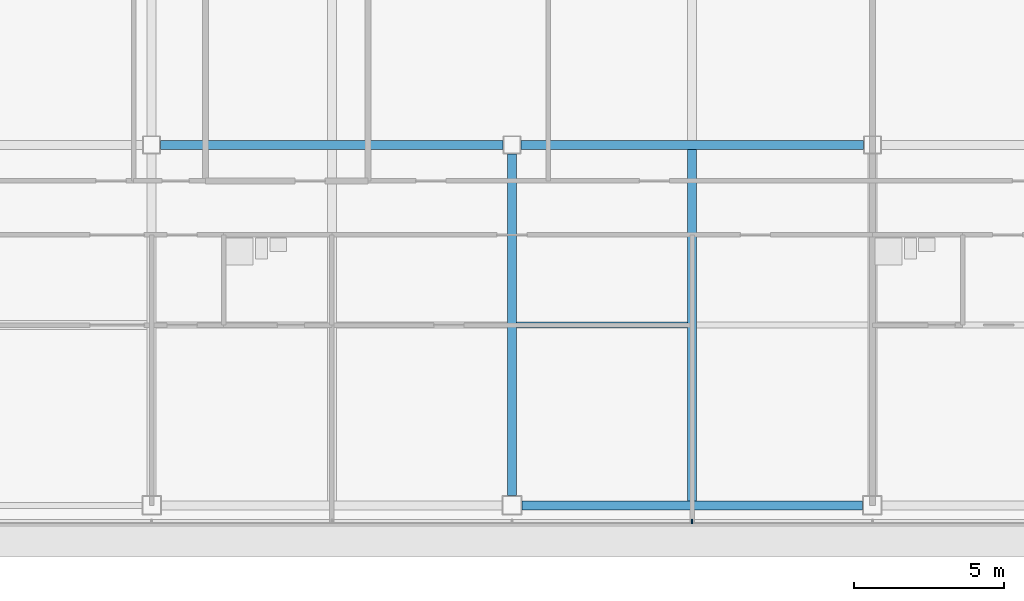
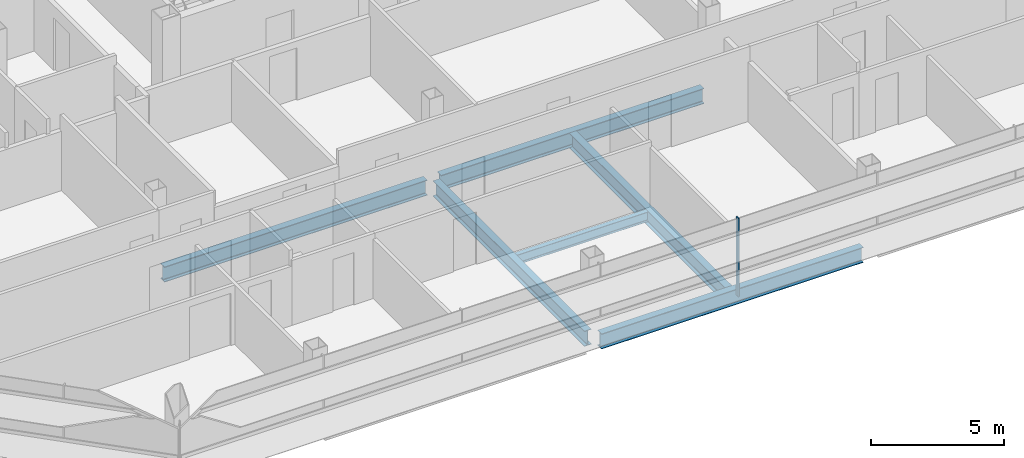
# One storey, part 3 of 26: 6 beams, 1 member, 1 element without a shape of its own.
"""IFC4 building model written with IfcOpenShell, lengths in metres."""

from ifc_helpers import new_model, si_unit, direction, frame, origin, origin_2d, place, context, subcontext, project, spatial, rectangle, i_section, extrude, material, material_profile, profile_set, type_object, element, aggregate, save


model = new_model("IFC4")

# Units and contexts
model_context = context("Model", 3, precision=1e-05, world=origin(), true_north=direction((0.0, 1.0)))
body_context = subcontext(model_context, "Body", "Model", "MODEL_VIEW")
ifc_project = project(units=[si_unit("LENGTHUNIT", "METRE"), si_unit("AREAUNIT", "SQUARE_METRE"), si_unit("VOLUMEUNIT", "CUBIC_METRE"), si_unit("PLANEANGLEUNIT", "RADIAN"), si_unit("MASSUNIT", "GRAM", prefix="KILO")], contexts=[model_context])

# Site, building, storey
site_placement = place(None, origin())
site = spatial("IfcSite", under=ifc_project, at=site_placement, CompositionType="ELEMENT")
building_placement = place(site_placement, origin())
building = spatial("IfcBuilding", under=site, at=building_placement, Name="Sorahane Residences", CompositionType="ELEMENT")
storey_placement = place(building_placement, frame((0.0, 0.0, 219.0)))
storey = spatial("IfcBuildingStorey", under=building, at=storey_placement, Name="L51", CompositionType="ELEMENT", Elevation=219.0)

# Curtain wall, member
ifc_material_1 = material(Name="Dark low-e glass and black anodised aluminium", Category="aluminium")
curtain_wall_type = type_object("IfcCurtainWallType", Name="Curtain wall CW-1 Typical unitised wall", PredefinedType="NOTDEFINED", material=ifc_material_1)
curtain_wall_placement = place(storey_placement, origin())
curtain_wall = element("IfcCurtainWall", 1, at=curtain_wall_placement, inside=storey, type_object=curtain_wall_type, Name="CW-1 curtain wall L51 S1", PredefinedType="NOTDEFINED")
ifc_material_2 = material(Name="Black anodised aluminium", Category="aluminium")
ifc_material_profile_1 = material_profile(ifc_material_2, rectangle(XDim=0.159912109375, YDim=0.050048828125, at=origin_2d()), Name="Curtain wall mullion CW-1 black anodised aluminium 50x160")
ifc_profile_set_1 = profile_set([ifc_material_profile_1], Name="Black anodised aluminium")
member_type = type_object("IfcMemberType", Name="Curtain wall mullion CW-1 black anodised aluminium 50x160", PredefinedType="MULLION", material=ifc_profile_set_1)
member_placement = place(storey_placement, frame((18.0, -0.5400390625, -0.179931640625), z_axis=(0.0, 0.0, 1.0), x_axis=(0.0, -1.0, 0.0)))
member = element("IfcMember", 2, at=member_placement, type_object=member_type, Name="CW-1 mullion L51 S1.5", PredefinedType="MULLION", context=body_context, shape_type="SweptSolid", body=[
    extrude(rectangle(XDim=0.159912109375, YDim=0.050048828125, at=origin_2d()), origin(), (0.0, 0.0, 1.0), 3.599853515625),
])
aggregate(curtain_wall, [member])

# Beams
ifc_material_3 = material(Name="Steel Q355B", Category="steel")
ifc_material_profile_2 = material_profile(ifc_material_3, i_section(OverallWidth=0.199951171875, OverallDepth=0.449951171875, WebThickness=0.009033203125, FlangeThickness=0.013916015625, FilletRadius=0.02001953125, at=origin_2d()), Name="HN 450x200x9x14")
ifc_profile_set_2 = profile_set([ifc_material_profile_2], Name="Steel Q355B")
beam_type_1 = type_object("IfcBeamType", Name="Steel floor beam HN 450x200x9x14 Q355B", PredefinedType="BEAM", material=ifc_profile_set_2)
beam_1_placement = place(storey_placement, frame((12.14990234375, 6.0, -0.405029296875), z_axis=(1.0, 0.0, 0.0), x_axis=(0.0, 1.0, 0.0)))
element("IfcBeam", 3, at=beam_1_placement, inside=storey, type_object=beam_type_1, Name="Beam L51 071", PredefinedType="BEAM", context=body_context, shape_type="SweptSolid", body=[
    extrude(i_section(OverallWidth=0.199951171875, OverallDepth=0.449951171875, WebThickness=0.009033203125, FlangeThickness=0.013916015625, FilletRadius=0.02001953125, at=origin_2d()), origin(), (0.0, 0.0, 1.0), 5.7001953125),
])
ifc_material_4 = material(Name="Steel Q355B", Category="steel")
ifc_material_profile_3 = material_profile(ifc_material_4, i_section(OverallWidth=0.300048828125, OverallDepth=0.699951171875, WebThickness=0.012939453125, FlangeThickness=0.02392578125, FilletRadius=0.028076171875, at=origin_2d()), Name="HN 700x300x13x24")
ifc_profile_set_3 = profile_set([ifc_material_profile_3], Name="Steel Q355B")
beam_type_2 = type_object("IfcBeamType", Name="Steel floor beam HN 700x300x13x24 Q355B", PredefinedType="BEAM", material=ifc_profile_set_3)
beam_2_placement = place(storey_placement, frame((12.324951171875, 0.0, -0.530029296875), z_axis=(1.0, 0.0, 0.0), x_axis=(0.0, 1.0, 0.0)))
element("IfcBeam", 4, at=beam_2_placement, inside=storey, type_object=beam_type_2, Name="Beam L51 002", PredefinedType="BEAM", context=body_context, shape_type="SweptSolid", body=[
    extrude(i_section(OverallWidth=0.300048828125, OverallDepth=0.699951171875, WebThickness=0.012939453125, FlangeThickness=0.02392578125, FilletRadius=0.028076171875, at=origin_2d()), origin(), (0.0, 0.0, 1.0), 11.35009765625),
])
for number, where, z_axis, x_axis, name in (
    (5, (0.300048828125, 12.0, -0.530029296875), (1.0, 0.0, 0.0), (0.0, 1.0, 0.0), "Beam L51 006"),
    (6, (12.300048828125, 12.0, -0.530029296875), (1.0, 0.0, 0.0), (0.0, 1.0, 0.0), "Beam L51 007"),
):
    element("IfcBeam", number, at=place(storey_placement, frame(where, z_axis=z_axis, x_axis=x_axis)), inside=storey, type_object=beam_type_2, Name=name, PredefinedType="BEAM", context=body_context, shape_type="SweptSolid", body=[
        extrude(i_section(OverallWidth=0.300048828125, OverallDepth=0.699951171875, WebThickness=0.012939453125, FlangeThickness=0.02392578125, FilletRadius=0.028076171875, at=origin_2d()), origin(), (0.0, 0.0, 1.0), 11.39990234375),
    ])
beam_3_placement = place(storey_placement, frame((12.0, 0.324951171875, -0.530029296875), z_axis=(0.0, 1.0, 0.0), x_axis=(-1.0, 0.0, 0.0)))
element("IfcBeam", 7, at=beam_3_placement, inside=storey, type_object=beam_type_2, Name="Beam L51 034", PredefinedType="BEAM", context=body_context, shape_type="SweptSolid", body=[
    extrude(i_section(OverallWidth=0.300048828125, OverallDepth=0.699951171875, WebThickness=0.012939453125, FlangeThickness=0.02392578125, FilletRadius=0.028076171875, at=origin_2d()), origin(), (0.0, 0.0, 1.0), 11.375),
])
beam_4_placement = place(storey_placement, frame((18.0, 0.14990234375, -0.530029296875), z_axis=(0.0, 1.0, 0.0), x_axis=(-1.0, 0.0, 0.0)))
element("IfcBeam", 8, at=beam_4_placement, inside=storey, type_object=beam_type_2, Name="Beam L51 036", PredefinedType="BEAM", context=body_context, shape_type="SweptSolid", body=[
    extrude(i_section(OverallWidth=0.300048828125, OverallDepth=0.699951171875, WebThickness=0.012939453125, FlangeThickness=0.02392578125, FilletRadius=0.028076171875, at=origin_2d()), origin(), (0.0, 0.0, 1.0), 11.7001953125),
])

save(model, "model.ifc")
